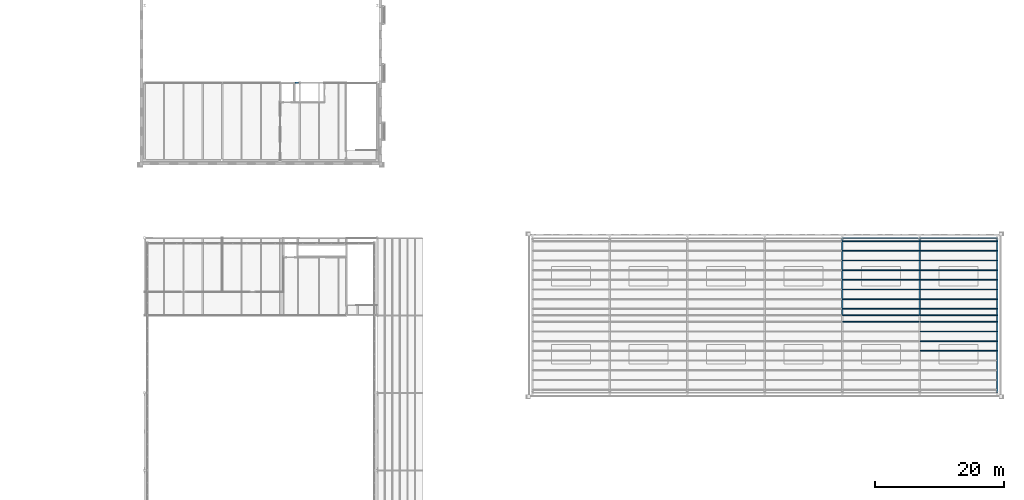
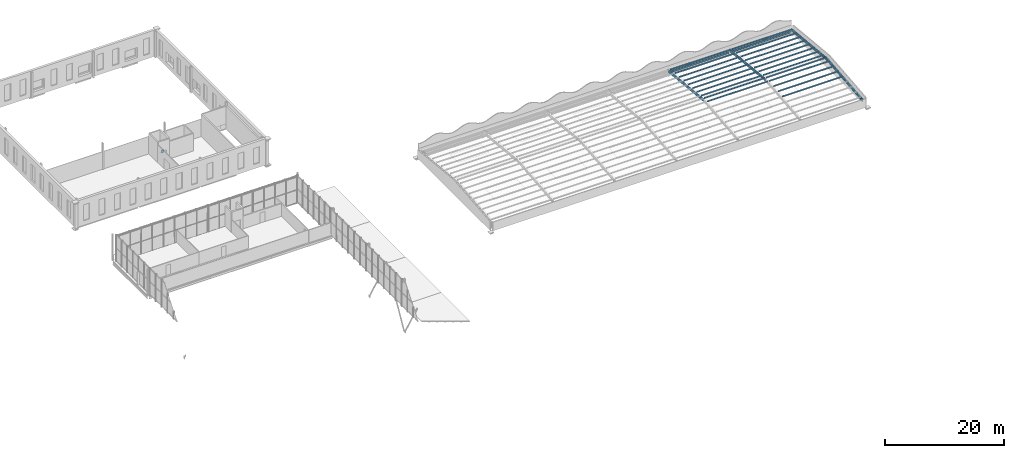
# One storey, part 85 of 170: 23 members, 7 beams.
"""IFC4 building model written with IfcOpenShell, lengths in metres."""

from ifc_helpers import new_model, si_unit, direction, frame, origin, origin_2d, place, context, subcontext, project, spatial, i_section, extrude, material, material_profile, profile_set, type_object, element, save


model = new_model("IFC4")

# Units and contexts
model_context = context("Model", 3, precision=1e-05, world=origin(), true_north=direction((0.0, 1.0)))
body_context = subcontext(model_context, "Body", "Model", "MODEL_VIEW")
ifc_project = project(units=[si_unit("LENGTHUNIT", "METRE"), si_unit("AREAUNIT", "SQUARE_METRE"), si_unit("VOLUMEUNIT", "CUBIC_METRE"), si_unit("PLANEANGLEUNIT", "RADIAN"), si_unit("MASSUNIT", "GRAM", prefix="KILO")], contexts=[model_context])

# Site, building, storey
site_placement = place(None, origin())
site = spatial("IfcSite", under=ifc_project, at=site_placement, CompositionType="ELEMENT")
building_placement = place(site_placement, origin())
building = spatial("IfcBuilding", under=site, at=building_placement, Name="Ravi Spectrum Wholesale Market", CompositionType="ELEMENT")
storey_placement = place(building_placement, frame((0.0, 0.0, 5.39990234375)))
storey = spatial("IfcBuildingStorey", under=building, at=storey_placement, Name="L01", CompositionType="ELEMENT", Elevation=5.39990234375)

# Members
ifc_material_1 = material(Name="Steel S355", Category="steel")
ifc_material_profile_1 = material_profile(ifc_material_1, i_section(OverallWidth=0.135009765625, OverallDepth=0.27001953125, WebThickness=0.006591796875, FlangeThickness=0.01025390625, at=origin_2d()))
ifc_profile_set_1 = profile_set([ifc_material_profile_1], Name="Steel S355")
member_type = type_object("IfcMemberType", Name="IPE 270 purlin", PredefinedType="PURLIN", material=ifc_profile_set_1)
for number, where, z_axis, x_axis, name in (
    (1, (270.10009765625, 173.0, 2.6513671875), (1.0, 0.0, 0.0), (0.0, 1.0, 0.0), "GS-MB-L01-076"),
    (2, (270.10009765625, 185.5, 1.601318359375), (1.0, 0.0, 0.0), (0.0, 1.0, 0.0), "GS-MB-L01-077"),
    (3, (270.10009765625, 184.0, 1.751220703125), (1.0, 0.0, 0.0), (0.0, 1.0, 0.0), "GS-MB-L01-078"),
    (4, (270.10009765625, 182.5, 1.9013671875), (1.0, 0.0, 0.0), (0.0, 1.0, 0.0), "GS-MB-L01-079"),
    (5, (270.10009765625, 181.0, 2.05126953125), (1.0, 0.0, 0.0), (0.0, 1.0, 0.0), "GS-MB-L01-080"),
    (6, (270.10009765625, 179.5, 2.201171875), (1.0, 0.0, 0.0), (0.0, 1.0, 0.0), "GS-MB-L01-081"),
    (7, (270.10009765625, 178.0, 2.351318359375), (1.0, 0.0, 0.0), (0.0, 1.0, 0.0), "GS-MB-L01-082"),
    (8, (270.10009765625, 176.5, 2.501220703125), (1.0, 0.0, 0.0), (0.0, 1.0, 0.0), "GS-MB-L01-083"),
    (9, (270.10009765625, 175.0, 2.6513671875), (1.0, 0.0, 0.0), (0.0, 1.0, 0.0), "GS-MB-L01-084"),
    (10, (270.10009765625, 174.0, 2.744384765625), (1.0, 0.0, 0.0), (0.0, 1.0, 0.0), "GS-MB-L01-085"),
    (11, (282.10009765625, 168.5, 2.201171875), (1.0, 0.0, 0.0), (0.0, 1.0, 0.0), "GS-MB-L01-090"),
    (12, (282.10009765625, 170.0, 2.351318359375), (1.0, 0.0, 0.0), (0.0, 1.0, 0.0), "GS-MB-L01-091"),
    (13, (282.10009765625, 171.5, 2.501220703125), (1.0, 0.0, 0.0), (0.0, 1.0, 0.0), "GS-MB-L01-092"),
    (14, (282.10009765625, 173.0, 2.6513671875), (1.0, 0.0, 0.0), (0.0, 1.0, 0.0), "GS-MB-L01-093"),
    (15, (282.10009765625, 185.5, 1.601318359375), (1.0, 0.0, 0.0), (0.0, 1.0, 0.0), "GS-MB-L01-094"),
    (16, (282.10009765625, 184.0, 1.751220703125), (1.0, 0.0, 0.0), (0.0, 1.0, 0.0), "GS-MB-L01-095"),
    (17, (282.10009765625, 182.5, 1.9013671875), (1.0, 0.0, 0.0), (0.0, 1.0, 0.0), "GS-MB-L01-096"),
    (18, (282.10009765625, 181.0, 2.05126953125), (1.0, 0.0, 0.0), (0.0, 1.0, 0.0), "GS-MB-L01-097"),
    (19, (282.10009765625, 179.5, 2.201171875), (1.0, 0.0, 0.0), (0.0, 1.0, 0.0), "GS-MB-L01-098"),
    (20, (282.10009765625, 178.0, 2.351318359375), (1.0, 0.0, 0.0), (0.0, 1.0, 0.0), "GS-MB-L01-099"),
    (21, (282.10009765625, 176.5, 2.501220703125), (1.0, 0.0, 0.0), (0.0, 1.0, 0.0), "GS-MB-L01-100"),
    (22, (282.10009765625, 175.0, 2.6513671875), (1.0, 0.0, 0.0), (0.0, 1.0, 0.0), "GS-MB-L01-101"),
    (23, (282.10009765625, 174.0, 2.744384765625), (1.0, 0.0, 0.0), (0.0, 1.0, 0.0), "GS-MB-L01-102"),
):
    element("IfcMember", number, at=place(storey_placement, frame(where, z_axis=z_axis, x_axis=x_axis)), inside=storey, type_object=member_type, Name=name, PredefinedType="PURLIN", context=body_context, shape_type="SweptSolid", body=[
        extrude(i_section(OverallWidth=0.135009765625, OverallDepth=0.27001953125, WebThickness=0.006591796875, FlangeThickness=0.01025390625, at=origin_2d()), origin(), (0.0, 0.0, 1.0), 11.7998046875),
    ])

# Beams
ifc_material_2 = material(Name="Steel S355", Category="steel")
ifc_material_profile_2 = material_profile(ifc_material_2, i_section(OverallWidth=0.169921875, OverallDepth=0.360107421875, WebThickness=0.008056640625, FlangeThickness=0.0126953125, at=origin_2d()))
ifc_profile_set_2 = profile_set([ifc_material_profile_2], Name="Steel S355")
beam_type_1 = type_object("IfcBeamType", Name="IPE 360 beam", PredefinedType="BEAM", material=ifc_profile_set_2)
for number, where, z_axis, x_axis, name in (
    (24, (270.14990234375, 186.0, 0.72705078125), (1.0, 0.0, 0.0), (0.0, 1.0, 0.0), "GS-BM-L01-011"),
    (25, (282.14990234375, 186.0, 0.72705078125), (1.0, 0.0, 0.0), (0.0, 1.0, 0.0), "GS-BM-L01-012"),
):
    element("IfcBeam", number, at=place(storey_placement, frame(where, z_axis=z_axis, x_axis=x_axis)), inside=storey, type_object=beam_type_1, Name=name, PredefinedType="BEAM", context=body_context, shape_type="SweptSolid", body=[
        extrude(i_section(OverallWidth=0.169921875, OverallDepth=0.360107421875, WebThickness=0.008056640625, FlangeThickness=0.0126953125, at=origin_2d()), origin(), (0.0, 0.0, 1.0), 11.7001953125),
    ])
ifc_material_3 = material(Name="Steel S355", Category="steel")
ifc_material_profile_3 = material_profile(ifc_material_3, i_section(OverallWidth=0.199951171875, OverallDepth=0.5, WebThickness=0.01025390625, FlangeThickness=0.01611328125, at=origin_2d()))
ifc_profile_set_3 = profile_set([ifc_material_profile_3], Name="Steel S355")
beam_type_2 = type_object("IfcBeamType", Name="IPE 500 beam", PredefinedType="BEAM", material=ifc_profile_set_3)
beam_placement = place(storey_placement, frame((185.27490234375, 210.0, -0.449951171875), z_axis=(1.0, 0.0, 0.0), x_axis=(0.0, 1.0, 0.0)))
element("IfcBeam", 26, at=beam_placement, inside=storey, type_object=beam_type_2, Name="AU-BM-L01-006", PredefinedType="BEAM", context=body_context, shape_type="SweptSolid", body=[
    extrude(i_section(OverallWidth=0.199951171875, OverallDepth=0.5, WebThickness=0.01025390625, FlangeThickness=0.01611328125, at=origin_2d()), origin(), (0.0, 0.0, 1.0), 0.5751953125),
])
for number, where, z_axis, x_axis, name in (
    (27, (270.0, 186.02490234375, 1.15576171875), (0.0, -0.995037591075, 0.099499710289), (1.0, 0.0, 0.0), "GS-BM-L01-022"),
    (28, (282.0, 186.02490234375, 1.15576171875), (0.0, -0.995037591075, 0.099499710289), (1.0, 0.0, 0.0), "GS-BM-L01-024"),
    (29, (294.0, 161.97509765625, 1.15576171875), (0.0, 0.995037591075, 0.099499710289), (-1.0, 0.0, 0.0), "GS-BM-L01-025"),
    (30, (294.0, 186.02490234375, 1.15576171875), (0.0, -0.995037591075, 0.099499710289), (1.0, 0.0, 0.0), "GS-BM-L01-026"),
):
    element("IfcBeam", number, at=place(storey_placement, frame(where, z_axis=z_axis, x_axis=x_axis)), inside=storey, type_object=beam_type_2, Name=name, PredefinedType="BEAM", context=body_context, shape_type="SweptSolid", body=[
        extrude(i_section(OverallWidth=0.199951171875, OverallDepth=0.5, WebThickness=0.01025390625, FlangeThickness=0.01611328125, at=origin_2d()), origin(), (0.0, 0.0, 1.0), 12.059814453125),
    ])

save(model, "model.ifc")
